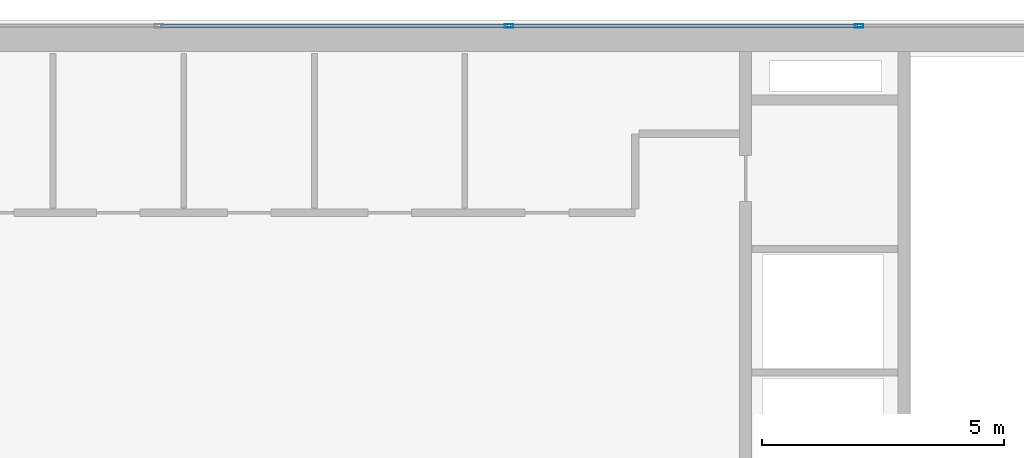
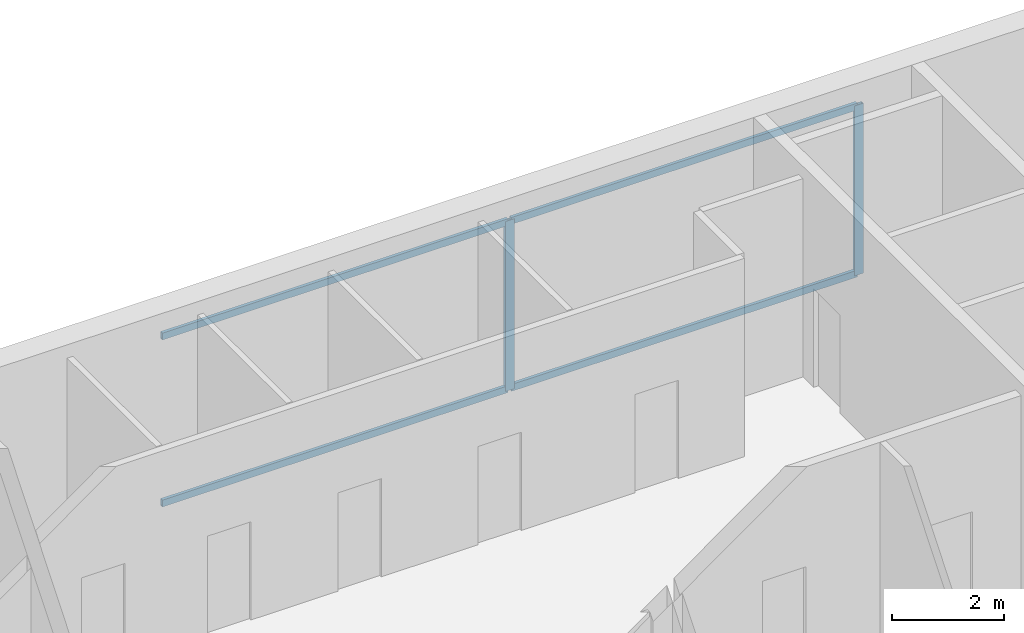
# One storey, part 13 of 19: 6 members, 1 element without a shape of its own.
"""IFC4 building model written with IfcOpenShell, lengths in metres."""

import ifcopenshell
import ifcopenshell.guid

model = None  # the IFC model being written
_history = None  # IfcOwnerHistory: only IFC2X3 demands one
_inside = {}  # id of a spatial element -> (the spatial element, [elements in it])
_under = {}  # id of a project, library or spatial element -> (it, [spatial elements below it])
_declared = {}  # id of a project -> (the project, [libraries it declares])
_typed = {}  # id of a type object -> (the type object, [elements of that type])
_made_of = {}  # id of a material, layer set ... -> (it, [elements and type objects made of it])


def new_model(schema):
    """Start an empty IFC model of exactly this schema.

    Asked for "IFC4X3", IfcOpenShell would pick the latest addendum, in which some entities
    have other attributes; the version numbers below select the first issue.
    IFC2X3 requires an IfcOwnerHistory on every rooted entity: one is made here for all.
    """
    global model, _history
    if schema == "IFC4X3":
        model = ifcopenshell.file(schema_version=(4, 3, 0, 0))
    else:
        model = ifcopenshell.file(schema=schema)
    _inside.clear()
    _under.clear()
    _declared.clear()
    _typed.clear()
    _made_of.clear()
    _history = None
    if model.schema == "IFC2X3":
        org = make("IfcOrganization", Name="unknown")
        user = make(
            "IfcPersonAndOrganization",
            ThePerson=make("IfcPerson", FamilyName="unknown"),
            TheOrganization=org,
        )
        app = make(
            "IfcApplication",
            ApplicationDeveloper=org,
            Version="unknown",
            ApplicationFullName="unknown",
            ApplicationIdentifier="unknown",
        )
        _history = make(
            "IfcOwnerHistory",
            OwningUser=user,
            OwningApplication=app,
            ChangeAction="ADDED",
            CreationDate=0,
        )
    return model


def make(cls, **values):
    """One entity of the class cls with the attributes given. An attribute that is None is left unset."""
    return model.create_entity(
        cls, **{name: value for name, value in values.items() if value is not None}
    )


def rooted(cls, **values):
    """An entity with a GlobalId (a new one), such as an element, a storey or a relation."""
    return make(cls, GlobalId=ifcopenshell.guid.new(), OwnerHistory=_history, **values)


def si_unit(unit_type, name, prefix=None):
    """IfcSIUnit, for example si_unit("LENGTHUNIT", "METRE", prefix="MILLI")."""
    return make("IfcSIUnit", UnitType=unit_type, Prefix=prefix, Name=name)


def assignment(units):
    """IfcUnitAssignment: the units of a project."""
    return None if units is None else make("IfcUnitAssignment", Units=units)


def point(xyz):
    """IfcCartesianPoint."""
    return None if xyz is None else make("IfcCartesianPoint", Coordinates=xyz)


def direction(xyz):
    """IfcDirection."""
    return None if xyz is None else make("IfcDirection", DirectionRatios=xyz)


def frame(location, z_axis=None, x_axis=None):
    """IfcAxis2Placement3D, a coordinate frame: its origin and axes. An axis left out is left unset."""
    return make(
        "IfcAxis2Placement3D",
        Location=point(location),
        Axis=direction(z_axis),
        RefDirection=direction(x_axis),
    )


def frame_2d(location, x_axis=None):
    """IfcAxis2Placement2D, a coordinate frame in the plane: its origin and x axis."""
    return make(
        "IfcAxis2Placement2D", Location=point(location), RefDirection=direction(x_axis)
    )


def origin():
    """The frame at (0, 0, 0) with its axes left unset."""
    return frame((0.0, 0.0, 0.0))


def origin_2d():
    """The frame at (0, 0) in the plane with its x axis left unset."""
    return frame_2d((0.0, 0.0))


def place(relative_to, where):
    """IfcLocalPlacement: puts the frame where relative to a parent placement (None: the world)."""
    return make(
        "IfcLocalPlacement", PlacementRelTo=relative_to, RelativePlacement=where
    )


def context(
    kind, dimensions, precision=None, world=None, true_north=None, identifier=None
):
    """IfcGeometricRepresentationContext, for example the 3D "Model" context."""
    return make(
        "IfcGeometricRepresentationContext",
        ContextIdentifier=identifier,
        ContextType=kind,
        CoordinateSpaceDimension=dimensions,
        Precision=precision,
        WorldCoordinateSystem=world,
        TrueNorth=true_north,
    )


def subcontext(parent, identifier, kind, view, scale=None):
    """IfcGeometricRepresentationSubContext, for example "Body" below "Model"."""
    return make(
        "IfcGeometricRepresentationSubContext",
        ContextIdentifier=identifier,
        ContextType=kind,
        ParentContext=parent,
        TargetScale=scale,
        TargetView=view,
    )


def project(units=None, contexts=None):
    """IfcProject with its units and contexts."""
    return rooted(
        "IfcProject",
        Name="project",
        RepresentationContexts=contexts,
        UnitsInContext=assignment(units),
    )


def spatial(cls, under=None, at=None, **own):
    """A site, building, storey or space (cls), placed at a placement, below another one or the project."""
    s = rooted(cls, ObjectPlacement=at, **own)
    if under is not None:
        _under.setdefault(under.id(), (under, []))[1].append(s)
    return s


def profile(cls, at=None, kind="AREA", **sizes):
    """A parametric profile (cls). Its sizes go by their IFC names, for example OverallWidth=200.0."""
    return make(cls, ProfileType=kind, Position=at, **sizes)


def hollow_rectangle(**sizes):
    """IfcRectangleHollowProfileDef."""
    return profile("IfcRectangleHollowProfileDef", **sizes)


def extrude(swept, where, along, depth):
    """IfcExtrudedAreaSolid: the profile swept, set in the frame where, extruded along a direction by depth."""
    return make(
        "IfcExtrudedAreaSolid",
        SweptArea=swept,
        Position=where,
        ExtrudedDirection=direction(along),
        Depth=depth,
    )


def shape(context_of_items, identifier, shape_type, items):
    """IfcShapeRepresentation: the items that make up one representation, for example the "Body"."""
    return make(
        "IfcShapeRepresentation",
        ContextOfItems=context_of_items,
        RepresentationIdentifier=identifier,
        RepresentationType=shape_type,
        Items=items,
    )


def source(mapping_origin, context_of_items, identifier, shape_type, items):
    """IfcRepresentationMap: a shape defined once, which mapped items show again and again."""
    return make(
        "IfcRepresentationMap",
        MappingOrigin=mapping_origin,
        MappedRepresentation=shape(context_of_items, identifier, shape_type, items),
    )


def transform(
    local_origin,
    x_axis=None,
    y_axis=None,
    z_axis=None,
    scale=None,
    scale2=None,
    scale3=None,
    uniform=True,
):
    """IfcCartesianTransformationOperator3D, or its non-uniform kind. x_axis, y_axis, z_axis: its Axis1, 2, 3."""
    if uniform:
        return make(
            "IfcCartesianTransformationOperator3D",
            Axis1=direction(x_axis),
            Axis2=direction(y_axis),
            LocalOrigin=point(local_origin),
            Scale=scale,
            Axis3=direction(z_axis),
        )
    return make(
        "IfcCartesianTransformationOperator3DnonUniform",
        Axis1=direction(x_axis),
        Axis2=direction(y_axis),
        LocalOrigin=point(local_origin),
        Scale=scale,
        Axis3=direction(z_axis),
        Scale2=scale2,
        Scale3=scale3,
    )


def mapped(mapping_source, mapping_target):
    """IfcMappedItem: shows the shape of a source again, moved by a transform."""
    return make(
        "IfcMappedItem", MappingSource=mapping_source, MappingTarget=mapping_target
    )


def material(Name=None, Category=None):
    """IfcMaterial."""
    return make("IfcMaterial", Name=Name, Category=Category)


def layer(
    of_material, thickness, ventilated=None, Name=None, Category=None, Priority=None
):
    """IfcMaterialLayer: one layer of a wall or slab, of a material (None: an air gap)."""
    return make(
        "IfcMaterialLayer",
        Material=of_material,
        LayerThickness=thickness,
        IsVentilated=ventilated,
        Name=Name,
        Category=Category,
        Priority=Priority,
    )


def layer_set(layers, Name=None):
    """IfcMaterialLayerSet."""
    return make("IfcMaterialLayerSet", MaterialLayers=layers, LayerSetName=Name)


def material_profile(
    of_material, cross_section, Name=None, Category=None, Priority=None
):
    """IfcMaterialProfile: a cross section and its material."""
    return make(
        "IfcMaterialProfile",
        Name=Name,
        Material=of_material,
        Profile=cross_section,
        Priority=Priority,
        Category=Category,
    )


def profile_set(profiles, Name=None, composite=None):
    """IfcMaterialProfileSet."""
    return make(
        "IfcMaterialProfileSet",
        Name=Name,
        MaterialProfiles=profiles,
        CompositeProfile=composite,
    )


def made_of(thing, what):
    """Note that an element or type object is made of a material, layer set ...; save() writes the relation."""
    if what is not None:
        _made_of.setdefault(what.id(), (what, []))[1].append(thing)
    return thing


def type_object(cls, material=None, **own):
    """A type object (cls), such as IfcWallType, which elements share."""
    return made_of(rooted(cls, **own), material)


def element(
    cls,
    number,
    at=None,
    inside=None,
    cuts=None,
    type_object=None,
    material=None,
    context=None,
    identifier="Body",
    shape_type=None,
    held_by="IfcProductDefinitionShape",
    body=None,
    shapes=None,
    **own,
):
    """One element of the class cls, such as IfcWall. Its Tag is "e" and its number.

    at: its placement. inside: the storey or other place that contains it. cuts: it is an
    opening in that element (IfcRelVoidsElement). A single representation is given by context,
    identifier, shape_type and body (its items); several are given by shapes. held_by: the class
    of the entity that holds the representations. save() writes the other relations.
    """
    e = rooted(cls, Tag="e%d" % number, ObjectPlacement=at, **own)
    if body is not None:
        shapes = [shape(context, identifier, shape_type, body)]
    if shapes is not None:
        e.Representation = make(held_by, Representations=shapes)
    if inside is not None:
        _inside.setdefault(inside.id(), (inside, []))[1].append(e)
    if cuts is not None:
        rooted(
            "IfcRelVoidsElement", RelatingBuildingElement=cuts, RelatedOpeningElement=e
        )
    if type_object is not None:
        _typed.setdefault(type_object.id(), (type_object, []))[1].append(e)
    return made_of(e, material)


def aggregate(whole, parts):
    """IfcRelAggregates: a whole, such as a stair, and the parts it consists of."""
    return rooted("IfcRelAggregates", RelatingObject=whole, RelatedObjects=parts)


def save(model, path):
    """Write the relations noted so far, then the file.

    IfcRelAggregates (storeys below a building ...), IfcRelContainedInSpatialStructure (elements
    in a storey), IfcRelDefinesByType, IfcRelAssociatesMaterial and IfcRelDeclares: one each for
    every whole, place, type object, material and project.
    """
    for whole, parts in _under.values():
        aggregate(whole, parts)
    for where, things in _inside.values():
        rooted(
            "IfcRelContainedInSpatialStructure",
            RelatedElements=things,
            RelatingStructure=where,
        )
    for kind, things in _typed.values():
        rooted("IfcRelDefinesByType", RelatedObjects=things, RelatingType=kind)
    for what, things in _made_of.values():
        rooted("IfcRelAssociatesMaterial", RelatedObjects=things, RelatingMaterial=what)
    for by, libraries in _declared.values():
        rooted("IfcRelDeclares", RelatingContext=by, RelatedDefinitions=libraries)
    model.write(path)


model = new_model("IFC4")

# Units and contexts
model_context = context("Model", 3, precision=1e-05, world=origin(), true_north=direction((0.0, 1.0)))
body_context = subcontext(model_context, "Body", "Model", "MODEL_VIEW")
ifc_project = project(units=[si_unit("LENGTHUNIT", "METRE"), si_unit("AREAUNIT", "SQUARE_METRE"), si_unit("VOLUMEUNIT", "CUBIC_METRE"), si_unit("PLANEANGLEUNIT", "RADIAN"), si_unit("MASSUNIT", "GRAM", prefix="KILO")], contexts=[model_context])

# Site, building, storey
site_placement = place(None, origin())
site = spatial("IfcSite", under=ifc_project, at=site_placement, CompositionType="ELEMENT")
building_placement = place(site_placement, origin())
building = spatial("IfcBuilding", under=site, at=building_placement, Name="Sumidabori Civic Tower", CompositionType="ELEMENT")
storey_placement = place(building_placement, frame((0.0, 0.0, 293.60009765625)))
storey = spatial("IfcBuildingStorey", under=building, at=storey_placement, Name="L77", CompositionType="ELEMENT", Elevation=293.60009765625)

# Curtain wall, members
ifc_material = material(Name="Anodised Bronze Aluminium AW-6063-T6", Category="aluminium")
ifc_layer = layer(ifc_material, 0.179931640625, Name="Anodised Bronze Aluminium AW-6063-T6")
ifc_layer_set = layer_set([ifc_layer], Name="Anodised Bronze Aluminium AW-6063-T6")
curtain_wall_type = type_object("IfcCurtainWallType", Name="CW-SYS-6", PredefinedType="NOTDEFINED", material=ifc_layer_set)
curtain_wall_placement = place(storey_placement, origin())
curtain_wall = element("IfcCurtainWall", 1, at=curtain_wall_placement, inside=storey, type_object=curtain_wall_type, Name="Curtain Wall CW:L77:R07", PredefinedType="NOTDEFINED")
ifc_material_profile_1 = material_profile(ifc_material, hollow_rectangle(XDim=0.06494140625, YDim=0.14990234375, WallThickness=0.0048828125, at=origin_2d()), Name="ALU TRANSOM 150x65")
ifc_profile_set_1 = profile_set([ifc_material_profile_1], Name="Anodised Bronze Aluminium AW-6063-T6")
member_type_1 = type_object("IfcMemberType", Name="CW-TRN-150", PredefinedType="USERDEFINED", material=ifc_profile_set_1)
shared_shape_1 = source(origin(), body_context, "Body", "SweptSolid", [
    extrude(hollow_rectangle(XDim=0.06494140625, YDim=0.14990234375, WallThickness=0.0048828125, at=origin_2d()), origin(), (0.0, 0.0, 1.0), 7.157958984375),
])
member_1_placement = place(storey_placement, frame((10.806884765625, 24.080078125, 0.032470703125), z_axis=(-1.0, 0.0, 0.0), x_axis=(0.0, -1.0, 0.0)))
member_1 = element("IfcMember", 2, at=member_1_placement, type_object=member_type_1, Name="CW-6 transom 2.1", ObjectType="TRANSOM", PredefinedType="USERDEFINED", context=body_context, shape_type="MappedRepresentation", body=[
    mapped(shared_shape_1, transform((0.0, 0.0, 0.0), x_axis=(1.0, 0.0, 0.0), y_axis=(0.0, 1.0, 0.0), z_axis=(0.0, 0.0, 1.0), scale=1.0)),
])
member_2_placement = place(storey_placement, frame((10.806884765625, 24.080078125, 3.6875), z_axis=(-1.0, 0.0, 0.0), x_axis=(0.0, -1.0, 0.0)))
member_2 = element("IfcMember", 3, at=member_2_placement, type_object=member_type_1, Name="CW-6 transom 2.2", ObjectType="TRANSOM", PredefinedType="USERDEFINED", context=body_context, shape_type="MappedRepresentation", body=[
    mapped(shared_shape_1, transform((0.0, 0.0, 0.0), x_axis=(1.0, 0.0, 0.0), y_axis=(0.0, 1.0, 0.0), z_axis=(0.0, 0.0, 1.0), scale=1.0)),
])
shared_shape_2 = source(origin(), body_context, "Body", "SweptSolid", [
    extrude(hollow_rectangle(XDim=0.06494140625, YDim=0.14990234375, WallThickness=0.0048828125, at=origin_2d()), origin(), (0.0, 0.0, 1.0), 7.158203125),
])
member_3_placement = place(storey_placement, frame((3.5791015625, 24.080078125, 0.032470703125), z_axis=(-1.0, 0.0, 0.0), x_axis=(0.0, -1.0, 0.0)))
member_3 = element("IfcMember", 4, at=member_3_placement, type_object=member_type_1, Name="CW-6 transom 3.1", ObjectType="TRANSOM", PredefinedType="USERDEFINED", context=body_context, shape_type="MappedRepresentation", body=[
    mapped(shared_shape_2, transform((0.0, 0.0, 0.0), x_axis=(1.0, 0.0, 0.0), y_axis=(0.0, 1.0, 0.0), z_axis=(0.0, 0.0, 1.0), scale=1.0)),
])
member_4_placement = place(storey_placement, frame((3.5791015625, 24.080078125, 3.6875), z_axis=(-1.0, 0.0, 0.0), x_axis=(0.0, -1.0, 0.0)))
member_4 = element("IfcMember", 5, at=member_4_placement, type_object=member_type_1, Name="CW-6 transom 3.2", ObjectType="TRANSOM", PredefinedType="USERDEFINED", context=body_context, shape_type="MappedRepresentation", body=[
    mapped(shared_shape_2, transform((0.0, 0.0, 0.0), x_axis=(1.0, 0.0, 0.0), y_axis=(0.0, 1.0, 0.0), z_axis=(0.0, 0.0, 1.0), scale=1.0)),
])
ifc_material_profile_2 = material_profile(ifc_material, hollow_rectangle(XDim=0.070068359375, YDim=0.179931640625, WallThickness=0.006103515625, at=origin_2d()), Name="ALU MULLION 180x70")
ifc_profile_set_2 = profile_set([ifc_material_profile_2], Name="Anodised Bronze Aluminium AW-6063-T6")
member_type_2 = type_object("IfcMemberType", Name="CW-MUL-180", PredefinedType="MULLION", material=ifc_profile_set_2)
shared_shape_3 = source(origin(), body_context, "Body", "SweptSolid", [
    extrude(hollow_rectangle(XDim=0.070068359375, YDim=0.179931640625, WallThickness=0.006103515625, at=origin_2d()), origin(), (0.0, 0.0, 1.0), 3.719970703125),
])
member_5_placement = place(storey_placement, frame((10.842041015625, 24.080078125, 0.0), z_axis=(0.0, 0.0, 1.0), x_axis=(0.0, -1.0, 0.0)))
member_5 = element("IfcMember", 6, at=member_5_placement, type_object=member_type_2, Name="CW-6 mullion 2", PredefinedType="MULLION", context=body_context, shape_type="MappedRepresentation", body=[
    mapped(shared_shape_3, transform((0.0, 0.0, 0.0), x_axis=(1.0, 0.0, 0.0), y_axis=(0.0, 1.0, 0.0), z_axis=(0.0, 0.0, 1.0), scale=1.0)),
])
member_6_placement = place(storey_placement, frame((3.614013671875, 24.080078125, 0.0), z_axis=(0.0, 0.0, 1.0), x_axis=(0.0, -1.0, 0.0)))
member_6 = element("IfcMember", 7, at=member_6_placement, type_object=member_type_2, Name="CW-6 mullion 3", PredefinedType="MULLION", context=body_context, shape_type="MappedRepresentation", body=[
    mapped(shared_shape_3, transform((0.0, 0.0, 0.0), x_axis=(1.0, 0.0, 0.0), y_axis=(0.0, 1.0, 0.0), z_axis=(0.0, 0.0, 1.0), scale=1.0)),
])
aggregate(curtain_wall, [member_5, member_6, member_1, member_2, member_3, member_4])

save(model, "model.ifc")
